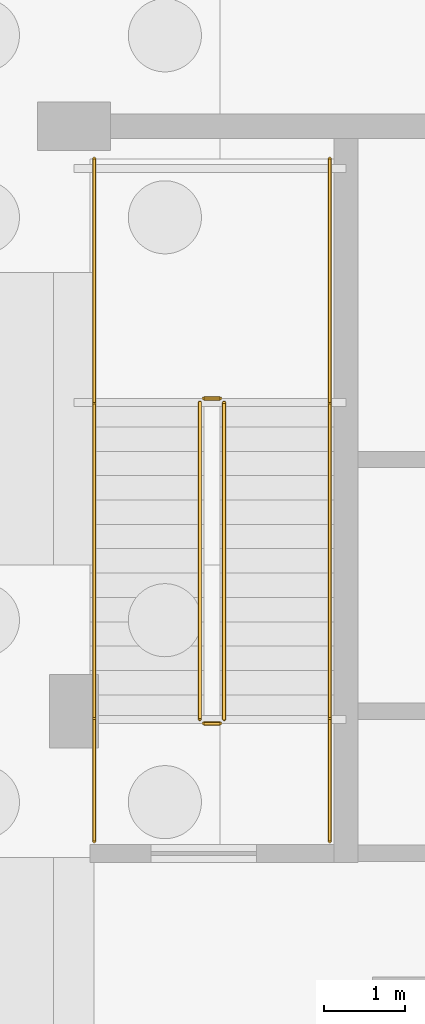
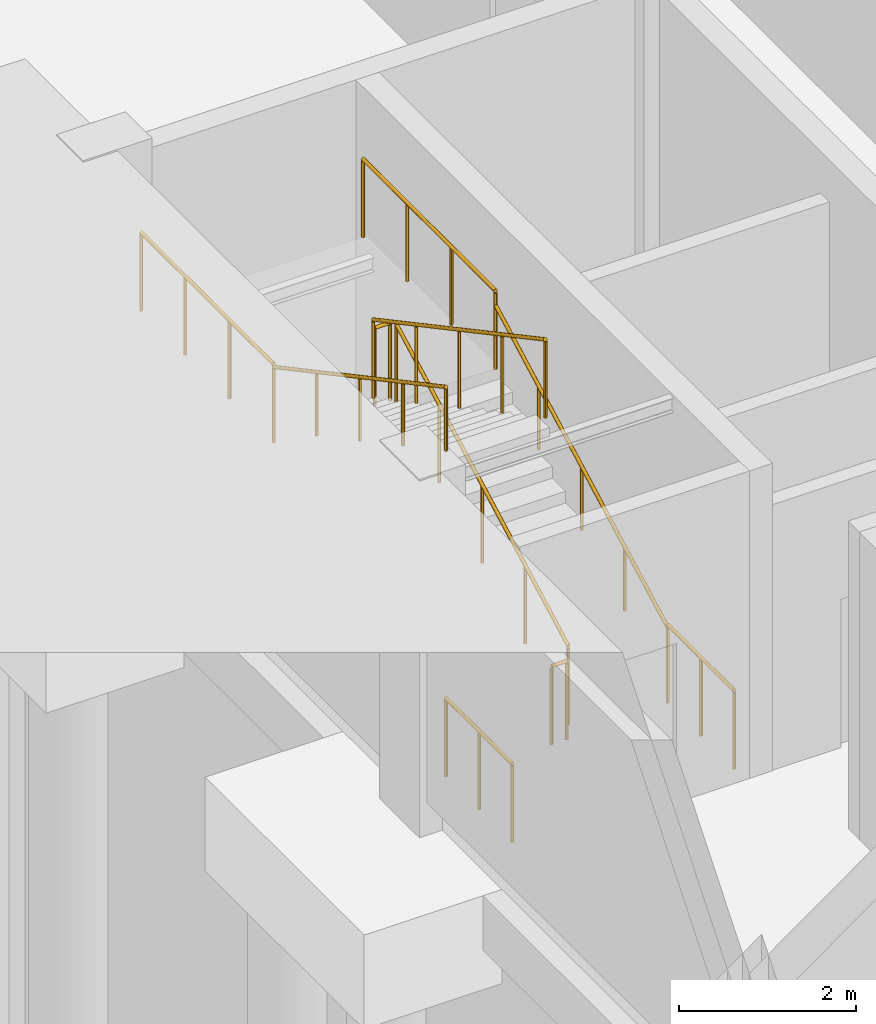
# One storey, part 47 of 51: 10 railings.
"""IFC4 building model written with IfcOpenShell, lengths in metres."""

from ifc_helpers import new_model, si_unit, direction, frame, origin, origin_2d, place, context, subcontext, project, spatial, circle, extrude, material, type_object, element, save


model = new_model("IFC4")

# Units and contexts
model_context = context("Model", 3, precision=1e-05, world=origin(), true_north=direction((0.0, 1.0)))
body_context = subcontext(model_context, "Body", "Model", "MODEL_VIEW")
ifc_project = project(units=[si_unit("LENGTHUNIT", "METRE"), si_unit("AREAUNIT", "SQUARE_METRE"), si_unit("VOLUMEUNIT", "CUBIC_METRE"), si_unit("PLANEANGLEUNIT", "RADIAN"), si_unit("MASSUNIT", "GRAM", prefix="KILO")], contexts=[model_context])

# Site, building, storey
site_placement = place(None, origin())
site = spatial("IfcSite", under=ifc_project, at=site_placement, CompositionType="ELEMENT")
building_placement = place(site_placement, origin())
building = spatial("IfcBuilding", under=site, at=building_placement, Name="Zlatovets Crest Museum", CompositionType="ELEMENT")
storey_placement = place(building_placement, frame((0.0, 0.0, -4.5)))
storey = spatial("IfcBuildingStorey", under=building, at=storey_placement, Name="B1", CompositionType="ELEMENT", Elevation=-4.5)

# Railings
ifc_material_1 = material(Name="Painted steel safety guardrail", Category="steel")
railing_type_1 = type_object("IfcRailingType", Name="StairGuard_SG01", PredefinedType="GUARDRAIL", material=ifc_material_1)
railing_1_placement = place(storey_placement, frame((131.449951171875, 43.10009765625, 0.16064453125)))
element("IfcRailing", 1, at=railing_1_placement, inside=storey, type_object=railing_type_1, Name="B1 ST5 stair guard 1", PredefinedType="GUARDRAIL", context=body_context, shape_type="SweptSolid", body=[
    extrude(circle(Radius=0.02392578125, at=origin_2d()), frame((0.0, 0.0, 1.076171875), z_axis=(0.0, 0.881468485026, 0.472242850561), x_axis=(-1.0, 0.0, 0.0)), (0.0, 0.0, 1.0), 4.42431640625),
    extrude(circle(Radius=0.02099609375, at=origin_2d()), origin(), (0.0, 0.0, 1.0), 1.052001953125),
    extrude(circle(Radius=0.02099609375, at=origin_2d()), frame((0.0, 0.97509765625, 0.5224609375)), (0.0, 0.0, 1.0), 1.052001953125),
    extrude(circle(Radius=0.02099609375, at=origin_2d()), frame((0.0, 1.949951171875, 1.044677734375)), (0.0, 0.0, 1.0), 1.052001953125),
    extrude(circle(Radius=0.02099609375, at=origin_2d()), frame((0.0, 2.9248046875, 1.56689453125)), (0.0, 0.0, 1.0), 1.052001953125),
    extrude(circle(Radius=0.02099609375, at=origin_2d()), frame((0.0, 3.89990234375, 2.08935546875)), (0.0, 0.0, 1.0), 1.052001953125),
])
railing_2_placement = place(storey_placement, frame((131.39990234375, 47.050048828125, 2.25)))
element("IfcRailing", 2, at=railing_2_placement, inside=storey, type_object=railing_type_1, Name="B1 ST5 stair guard 2", PredefinedType="GUARDRAIL", context=body_context, shape_type="SweptSolid", body=[
    extrude(circle(Radius=0.02392578125, at=origin_2d()), frame((0.0, 0.0, 1.076171875), z_axis=(-1.0, 0.0, 0.0), x_axis=(0.0, -1.0, 0.0)), (0.0, 0.0, 1.0), 0.199951171875),
    extrude(circle(Radius=0.02099609375, at=origin_2d()), origin(), (0.0, 0.0, 1.0), 1.052001953125),
    extrude(circle(Radius=0.02099609375, at=origin_2d()), frame((-0.199951171875, 0.0, 0.0)), (0.0, 0.0, 1.0), 1.052001953125),
])
for number, where, name in (
    (3, (132.75, 47.0, 2.25), "B1 ST5 stair guard 3"),
    (4, (129.85009765625, 47.0, 2.25), "B1 ST5 stair guard 4"),
):
    element("IfcRailing", number, at=place(storey_placement, frame(where)), inside=storey, type_object=railing_type_1, Name=name, PredefinedType="GUARDRAIL", context=body_context, shape_type="SweptSolid", body=[
        extrude(circle(Radius=0.02392578125, at=origin_2d()), frame((0.0, 0.0, 1.076171875), z_axis=(0.0, 1.0, 0.0), x_axis=(-1.0, 0.0, 0.0)), (0.0, 0.0, 1.0), 3.0),
        extrude(circle(Radius=0.02099609375, at=origin_2d()), origin(), (0.0, 0.0, 1.0), 1.052001953125),
        extrude(circle(Radius=0.02099609375, at=origin_2d()), frame((0.0, 1.0, 0.0)), (0.0, 0.0, 1.0), 1.052001953125),
        extrude(circle(Radius=0.02099609375, at=origin_2d()), frame((0.0, 2.0, 0.0)), (0.0, 0.0, 1.0), 1.052001953125),
        extrude(circle(Radius=0.02099609375, at=origin_2d()), frame((0.0, 3.0, 0.0)), (0.0, 0.0, 1.0), 1.052001953125),
    ])
railing_3_placement = place(storey_placement, frame((131.14990234375, 47.0, 2.41064453125)))
element("IfcRailing", 5, at=railing_3_placement, inside=storey, type_object=railing_type_1, Name="B1 ST5 stair guard 5", PredefinedType="GUARDRAIL", context=body_context, shape_type="SweptSolid", body=[
    extrude(circle(Radius=0.02392578125, at=origin_2d()), frame((0.0, 0.0, 1.076171875), z_axis=(0.0, -0.881468485026, 0.472242850561), x_axis=(1.0, 0.0, 0.0)), (0.0, 0.0, 1.0), 4.42431640625),
    extrude(circle(Radius=0.02099609375, at=origin_2d()), origin(), (0.0, 0.0, 1.0), 1.052001953125),
    extrude(circle(Radius=0.02099609375, at=origin_2d()), frame((0.0, -0.97509765625, 0.5224609375)), (0.0, 0.0, 1.0), 1.052001953125),
    extrude(circle(Radius=0.02099609375, at=origin_2d()), frame((0.0, -1.949951171875, 1.044677734375)), (0.0, 0.0, 1.0), 1.052001953125),
    extrude(circle(Radius=0.02099609375, at=origin_2d()), frame((0.0, -2.9248046875, 1.56689453125)), (0.0, 0.0, 1.0), 1.052001953125),
    extrude(circle(Radius=0.02099609375, at=origin_2d()), frame((0.0, -3.89990234375, 2.08935546875)), (0.0, 0.0, 1.0), 1.052001953125),
])
railing_4_placement = place(storey_placement, frame((131.39990234375, 43.050048828125, 0.0)))
element("IfcRailing", 6, at=railing_4_placement, inside=storey, type_object=railing_type_1, Name="B1 ST5 stair guard 6", PredefinedType="GUARDRAIL", context=body_context, shape_type="SweptSolid", body=[
    extrude(circle(Radius=0.02392578125, at=origin_2d()), frame((0.0, 0.0, 1.076171875), z_axis=(-1.0, 0.0, 0.0), x_axis=(0.0, -1.0, 0.0)), (0.0, 0.0, 1.0), 0.199951171875),
    extrude(circle(Radius=0.02099609375, at=origin_2d()), origin(), (0.0, 0.0, 1.0), 1.052001953125),
    extrude(circle(Radius=0.02099609375, at=origin_2d()), frame((-0.199951171875, 0.0, 0.0)), (0.0, 0.0, 1.0), 1.052001953125),
])
for number, where, name in (
    (7, (132.75, 41.60009765625, 0.0), "B1 ST5 stair guard 7"),
    (8, (129.85009765625, 41.60009765625, 0.0), "B1 ST5 stair guard 8"),
):
    element("IfcRailing", number, at=place(storey_placement, frame(where)), inside=storey, type_object=railing_type_1, Name=name, PredefinedType="GUARDRAIL", context=body_context, shape_type="SweptSolid", body=[
        extrude(circle(Radius=0.02392578125, at=origin_2d()), frame((0.0, 0.0, 1.076171875), z_axis=(0.0, 1.0, 0.0), x_axis=(-1.0, 0.0, 0.0)), (0.0, 0.0, 1.0), 1.5),
        extrude(circle(Radius=0.02099609375, at=origin_2d()), origin(), (0.0, 0.0, 1.0), 1.052001953125),
        extrude(circle(Radius=0.02099609375, at=origin_2d()), frame((0.0, 0.75, 0.0)), (0.0, 0.0, 1.0), 1.052001953125),
        extrude(circle(Radius=0.02099609375, at=origin_2d()), frame((0.0, 1.5, 0.0)), (0.0, 0.0, 1.0), 1.052001953125),
    ])
ifc_material_2 = material(Name="Brushed bronze stair handrail")
railing_type_2 = type_object("IfcRailingType", Name="StairHandrail_SH01", PredefinedType="HANDRAIL", material=ifc_material_2)
railing_5_placement = place(storey_placement, frame((132.75, 43.10009765625, 0.16064453125)))
element("IfcRailing", 9, at=railing_5_placement, inside=storey, type_object=railing_type_2, Name="B1 ST5 stair handrail 1", PredefinedType="HANDRAIL", context=body_context, shape_type="SweptSolid", body=[
    extrude(circle(Radius=0.02392578125, at=origin_2d()), frame((0.0, 0.0, 0.8759765625), z_axis=(0.0, 0.881468485026, 0.472242850561), x_axis=(-1.0, 0.0, 0.0)), (0.0, 0.0, 1.0), 4.42431640625),
    extrude(circle(Radius=0.02099609375, at=origin_2d()), origin(), (0.0, 0.0, 1.0), 0.851806640625),
    extrude(circle(Radius=0.02099609375, at=origin_2d()), frame((0.0, 0.97509765625, 0.5224609375)), (0.0, 0.0, 1.0), 0.851806640625),
    extrude(circle(Radius=0.02099609375, at=origin_2d()), frame((0.0, 1.949951171875, 1.044677734375)), (0.0, 0.0, 1.0), 0.851806640625),
    extrude(circle(Radius=0.02099609375, at=origin_2d()), frame((0.0, 2.9248046875, 1.56689453125)), (0.0, 0.0, 1.0), 0.851806640625),
    extrude(circle(Radius=0.02099609375, at=origin_2d()), frame((0.0, 3.89990234375, 2.08935546875)), (0.0, 0.0, 1.0), 0.851806640625),
])
railing_6_placement = place(storey_placement, frame((129.85009765625, 47.0, 2.41064453125)))
element("IfcRailing", 10, at=railing_6_placement, inside=storey, type_object=railing_type_2, Name="B1 ST5 stair handrail 2", PredefinedType="HANDRAIL", context=body_context, shape_type="SweptSolid", body=[
    extrude(circle(Radius=0.02392578125, at=origin_2d()), frame((0.0, 0.0, 0.8759765625), z_axis=(0.0, -0.881468485026, 0.472242850561), x_axis=(1.0, 0.0, 0.0)), (0.0, 0.0, 1.0), 4.42431640625),
    extrude(circle(Radius=0.02099609375, at=origin_2d()), origin(), (0.0, 0.0, 1.0), 0.851806640625),
    extrude(circle(Radius=0.02099609375, at=origin_2d()), frame((0.0, -0.97509765625, 0.5224609375)), (0.0, 0.0, 1.0), 0.851806640625),
    extrude(circle(Radius=0.02099609375, at=origin_2d()), frame((0.0, -1.949951171875, 1.044677734375)), (0.0, 0.0, 1.0), 0.851806640625),
    extrude(circle(Radius=0.02099609375, at=origin_2d()), frame((0.0, -2.9248046875, 1.56689453125)), (0.0, 0.0, 1.0), 0.851806640625),
    extrude(circle(Radius=0.02099609375, at=origin_2d()), frame((0.0, -3.89990234375, 2.08935546875)), (0.0, 0.0, 1.0), 0.851806640625),
])

save(model, "model.ifc")
